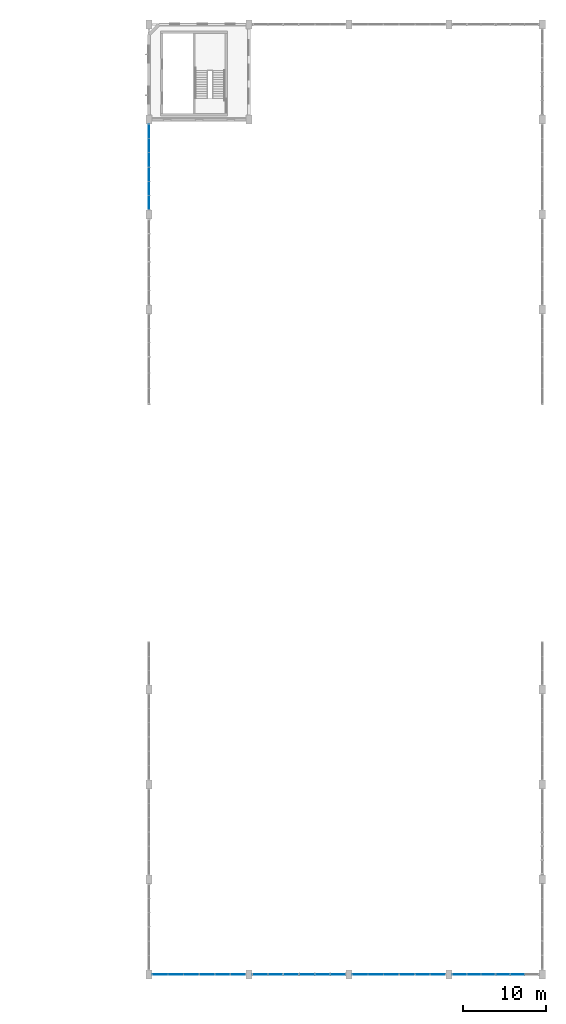
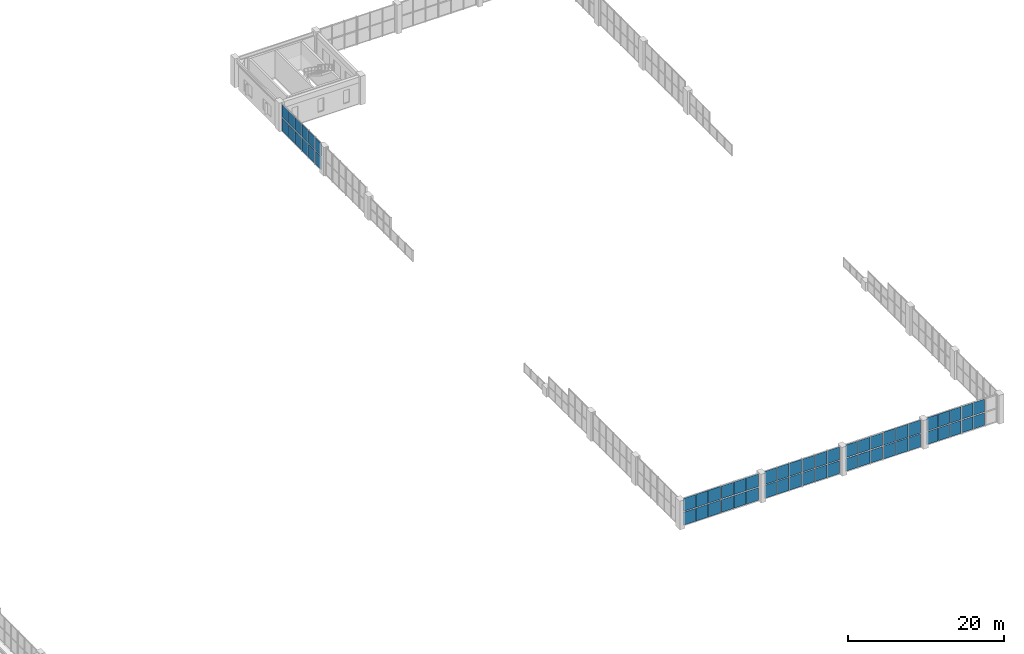
# One storey, part 32 of 48: 58 plates, 10 elements without a shape of their own.
"""IFC4 building model written with IfcOpenShell, lengths in metres."""

from ifc_helpers import new_model, si_unit, direction, frame, origin, origin_2d, place, context, subcontext, project, spatial, rectangle, extrude, material, layer, layer_set, type_object, element, aggregate, save


model = new_model("IFC4")

# Units and contexts
model_context = context("Model", 3, precision=1e-05, world=origin(), true_north=direction((0.0, 1.0)))
body_context = subcontext(model_context, "Body", "Model", "MODEL_VIEW")
ifc_project = project(units=[si_unit("LENGTHUNIT", "METRE"), si_unit("AREAUNIT", "SQUARE_METRE"), si_unit("VOLUMEUNIT", "CUBIC_METRE"), si_unit("PLANEANGLEUNIT", "RADIAN"), si_unit("MASSUNIT", "GRAM", prefix="KILO"), si_unit("POWERUNIT", "WATT"), si_unit("THERMODYNAMICTEMPERATUREUNIT", "KELVIN")], contexts=[model_context])

# Site, building, storey
site_placement = place(None, origin())
site = spatial("IfcSite", under=ifc_project, at=site_placement, CompositionType="ELEMENT")
building_placement = place(site_placement, origin())
building = spatial("IfcBuilding", under=site, at=building_placement, Name="Kelmbourne Parkland Aquatics Centre", CompositionType="ELEMENT")
storey_placement = place(building_placement, frame((0.0, 0.0, 14.699951171875)))
storey = spatial("IfcBuildingStorey", under=building, at=storey_placement, Name="L03", CompositionType="ELEMENT", Elevation=14.699951171875)

# Curtain wall, plates
ifc_material_1 = material(Name="Thermally broken anodised aluminium framing", Category="aluminium")
ifc_layer_1 = layer(ifc_material_1, 0.179931640625)
ifc_layer_set_1 = layer_set([ifc_layer_1], Name="Thermally broken anodised aluminium framing")
curtain_wall_type_1 = type_object("IfcCurtainWallType", Name="CW-16", PredefinedType="NOTDEFINED", material=ifc_layer_set_1)
curtain_wall_1_placement = place(storey_placement, origin())
curtain_wall_1 = element("IfcCurtainWall", 1, at=curtain_wall_1_placement, inside=storey, type_object=curtain_wall_type_1, Name="Wave-hall clerestory curtain wall CW-L03-088", PredefinedType="NOTDEFINED")
ifc_material_2 = material(Name="Double-glazed low-e laminated safety glass", Category="glass")
ifc_layer_2 = layer(ifc_material_2, 0.0419921875)
ifc_layer_set_2 = layer_set([ifc_layer_2], Name="Double-glazed low-e laminated safety glass")
plate_type_1 = type_object("IfcPlateType", Name="PL-CLR-1", PredefinedType="USERDEFINED", material=ifc_layer_set_2)
plate_1_placement = place(storey_placement, frame((128.0, 93.441650390625, 2.2939453125), z_axis=(0.0, 0.0, 1.0), x_axis=(0.0, 1.0, 0.0)))
plate_1 = element("IfcPlate", 2, at=plate_1_placement, type_object=plate_type_1, Name="CW-L03-088 clerestory glazing 1-0", ObjectType="CLERESTORY GLAZING", PredefinedType="USERDEFINED", context=body_context, shape_type="SweptSolid", body=[
    extrude(rectangle(XDim=1.601318359375, YDim=0.0419921875, at=origin_2d()), origin(), (0.0, 0.0, 1.0), 2.009033203125),
])
plate_2_placement = place(storey_placement, frame((128.0, 95.1259765625, 2.2939453125), z_axis=(0.0, 0.0, 1.0), x_axis=(0.0, 1.0, 0.0)))
plate_2 = element("IfcPlate", 3, at=plate_2_placement, type_object=plate_type_1, Name="CW-L03-088 clerestory glazing 1-1", ObjectType="CLERESTORY GLAZING", PredefinedType="USERDEFINED", context=body_context, shape_type="SweptSolid", body=[
    extrude(rectangle(XDim=1.601318359375, YDim=0.0419921875, at=origin_2d()), origin(), (0.0, 0.0, 1.0), 2.009033203125),
])
plate_3_placement = place(storey_placement, frame((128.0, 96.810302734375, 2.2939453125), z_axis=(0.0, 0.0, 1.0), x_axis=(0.0, 1.0, 0.0)))
plate_3 = element("IfcPlate", 4, at=plate_3_placement, type_object=plate_type_1, Name="CW-L03-088 clerestory glazing 1-2", ObjectType="CLERESTORY GLAZING", PredefinedType="USERDEFINED", context=body_context, shape_type="SweptSolid", body=[
    extrude(rectangle(XDim=1.601318359375, YDim=0.0419921875, at=origin_2d()), origin(), (0.0, 0.0, 1.0), 2.009033203125),
])

ifc_layer_3 = layer(ifc_material_1, 0.179931640625)
ifc_layer_set_3 = layer_set([ifc_layer_3], Name="Thermally broken anodised aluminium framing")
curtain_wall_type_2 = type_object("IfcCurtainWallType", Name="CW-23", PredefinedType="NOTDEFINED", material=ifc_layer_set_3)
curtain_wall_2_placement = place(storey_placement, origin())
curtain_wall_2 = element("IfcCurtainWall", 5, at=curtain_wall_2_placement, inside=storey, type_object=curtain_wall_type_2, Name="Wave-hall clerestory curtain wall CW-L03-095", PredefinedType="NOTDEFINED")
plate_4_placement = place(storey_placement, frame((128.0, 98.57958984375, 2.30908203125), z_axis=(0.0, 0.0, 1.0), x_axis=(0.0, 1.0, 0.0)))
plate_4 = element("IfcPlate", 6, at=plate_4_placement, type_object=plate_type_1, Name="CW-L03-095 clerestory glazing 1-0", ObjectType="CLERESTORY GLAZING", PredefinedType="USERDEFINED", context=body_context, shape_type="SweptSolid", body=[
    extrude(rectangle(XDim=1.641357421875, YDim=0.0419921875, at=origin_2d()), origin(), (0.0, 0.0, 1.0), 1.964111328125),
])
plate_5_placement = place(storey_placement, frame((128.0, 100.27392578125, 2.30908203125), z_axis=(0.0, 0.0, 1.0), x_axis=(0.0, 1.0, 0.0)))
plate_5 = element("IfcPlate", 7, at=plate_5_placement, type_object=plate_type_1, Name="CW-L03-095 clerestory glazing 1-1", ObjectType="CLERESTORY GLAZING", PredefinedType="USERDEFINED", context=body_context, shape_type="SweptSolid", body=[
    extrude(rectangle(XDim=1.641357421875, YDim=0.0419921875, at=origin_2d()), origin(), (0.0, 0.0, 1.0), 1.964111328125),
])
plate_6_placement = place(storey_placement, frame((128.0, 101.968505859375, 2.30908203125), z_axis=(0.0, 0.0, 1.0), x_axis=(0.0, 1.0, 0.0)))
plate_6 = element("IfcPlate", 8, at=plate_6_placement, type_object=plate_type_1, Name="CW-L03-095 clerestory glazing 1-2", ObjectType="CLERESTORY GLAZING", PredefinedType="USERDEFINED", context=body_context, shape_type="SweptSolid", body=[
    extrude(rectangle(XDim=1.641357421875, YDim=0.0419921875, at=origin_2d()), origin(), (0.0, 0.0, 1.0), 1.964111328125),
])

ifc_layer_4 = layer(ifc_material_1, 0.179931640625)
ifc_layer_set_4 = layer_set([ifc_layer_4], Name="Thermally broken anodised aluminium framing")
curtain_wall_type_3 = type_object("IfcCurtainWallType", Name="CW-01", PredefinedType="NOTDEFINED", material=ifc_layer_set_4)
curtain_wall_3_placement = place(storey_placement, origin())
curtain_wall_3 = element("IfcCurtainWall", 9, at=curtain_wall_3_placement, inside=storey, type_object=curtain_wall_type_3, Name="Wave-hall clerestory curtain wall CW-L03-121", PredefinedType="NOTDEFINED")
plate_7_placement = place(storey_placement, frame((129.339111328125, 0.800048828125, 2.2939453125), z_axis=(0.0, 0.0, 1.0), x_axis=(1.0, 0.0, 0.0)))
plate_7 = element("IfcPlate", 10, at=plate_7_placement, type_object=plate_type_1, Name="CW-L03-121 clerestory glazing 1-0", ObjectType="CLERESTORY GLAZING", PredefinedType="USERDEFINED", context=body_context, shape_type="SweptSolid", body=[
    extrude(rectangle(XDim=1.786376953125, YDim=0.0419921875, at=origin_2d()), origin(), (0.0, 0.0, 1.0), 2.009033203125),
])
plate_8_placement = place(storey_placement, frame((131.1884765625, 0.800048828125, 2.2939453125), z_axis=(0.0, 0.0, 1.0), x_axis=(1.0, 0.0, 0.0)))
plate_8 = element("IfcPlate", 11, at=plate_8_placement, type_object=plate_type_1, Name="CW-L03-121 clerestory glazing 1-1", ObjectType="CLERESTORY GLAZING", PredefinedType="USERDEFINED", context=body_context, shape_type="SweptSolid", body=[
    extrude(rectangle(XDim=1.786376953125, YDim=0.0419921875, at=origin_2d()), origin(), (0.0, 0.0, 1.0), 2.009033203125),
])
plate_9_placement = place(storey_placement, frame((133.037841796875, 0.800048828125, 2.2939453125), z_axis=(0.0, 0.0, 1.0), x_axis=(1.0, 0.0, 0.0)))
plate_9 = element("IfcPlate", 12, at=plate_9_placement, type_object=plate_type_1, Name="CW-L03-121 clerestory glazing 1-2", ObjectType="CLERESTORY GLAZING", PredefinedType="USERDEFINED", context=body_context, shape_type="SweptSolid", body=[
    extrude(rectangle(XDim=1.786376953125, YDim=0.0419921875, at=origin_2d()), origin(), (0.0, 0.0, 1.0), 2.009033203125),
])

ifc_layer_5 = layer(ifc_material_1, 0.179931640625)
ifc_layer_set_5 = layer_set([ifc_layer_5], Name="Thermally broken anodised aluminium framing")
curtain_wall_type_4 = type_object("IfcCurtainWallType", Name="CW-02", PredefinedType="NOTDEFINED", material=ifc_layer_set_5)
curtain_wall_4_placement = place(storey_placement, origin())
curtain_wall_4 = element("IfcCurtainWall", 13, at=curtain_wall_4_placement, inside=storey, type_object=curtain_wall_type_4, Name="Wave-hall clerestory curtain wall CW-L03-122", PredefinedType="NOTDEFINED")
plate_10_placement = place(storey_placement, frame((134.965576171875, 0.800048828125, 2.30908203125), z_axis=(0.0, 0.0, 1.0), x_axis=(1.0, 0.0, 0.0)))
plate_10 = element("IfcPlate", 14, at=plate_10_placement, type_object=plate_type_1, Name="CW-L03-122 clerestory glazing 1-0", ObjectType="CLERESTORY GLAZING", PredefinedType="USERDEFINED", context=body_context, shape_type="SweptSolid", body=[
    extrude(rectangle(XDim=1.77294921875, YDim=0.0419921875, at=origin_2d()), origin(), (0.0, 0.0, 1.0), 1.964111328125),
])
plate_11_placement = place(storey_placement, frame((136.8115234375, 0.800048828125, 2.30908203125), z_axis=(0.0, 0.0, 1.0), x_axis=(1.0, 0.0, 0.0)))
plate_11 = element("IfcPlate", 15, at=plate_11_placement, type_object=plate_type_1, Name="CW-L03-122 clerestory glazing 1-1", ObjectType="CLERESTORY GLAZING", PredefinedType="USERDEFINED", context=body_context, shape_type="SweptSolid", body=[
    extrude(rectangle(XDim=1.77294921875, YDim=0.0419921875, at=origin_2d()), origin(), (0.0, 0.0, 1.0), 1.964111328125),
])
plate_12_placement = place(storey_placement, frame((138.657470703125, 0.800048828125, 2.30908203125), z_axis=(0.0, 0.0, 1.0), x_axis=(1.0, 0.0, 0.0)))
plate_12 = element("IfcPlate", 16, at=plate_12_placement, type_object=plate_type_1, Name="CW-L03-122 clerestory glazing 1-2", ObjectType="CLERESTORY GLAZING", PredefinedType="USERDEFINED", context=body_context, shape_type="SweptSolid", body=[
    extrude(rectangle(XDim=1.77294921875, YDim=0.0419921875, at=origin_2d()), origin(), (0.0, 0.0, 1.0), 1.964111328125),
])

ifc_layer_6 = layer(ifc_material_1, 0.179931640625)
ifc_layer_set_6 = layer_set([ifc_layer_6], Name="Thermally broken anodised aluminium framing")
curtain_wall_type_5 = type_object("IfcCurtainWallType", Name="CW-03", PredefinedType="NOTDEFINED", material=ifc_layer_set_6)
curtain_wall_5_placement = place(storey_placement, origin())
curtain_wall_5 = element("IfcCurtainWall", 17, at=curtain_wall_5_placement, inside=storey, type_object=curtain_wall_type_5, Name="Wave-hall clerestory curtain wall CW-L03-123", PredefinedType="NOTDEFINED")
plate_13_placement = place(storey_placement, frame((141.345947265625, 0.800048828125, 2.279296875), z_axis=(0.0, 0.0, 1.0), x_axis=(1.0, 0.0, 0.0)))
plate_13 = element("IfcPlate", 18, at=plate_13_placement, type_object=plate_type_1, Name="CW-L03-123 clerestory glazing 1-0", ObjectType="CLERESTORY GLAZING", PredefinedType="USERDEFINED", context=body_context, shape_type="SweptSolid", body=[
    extrude(rectangle(XDim=1.759765625, YDim=0.0419921875, at=origin_2d()), origin(), (0.0, 0.0, 1.0), 2.053955078125),
])
plate_14_placement = place(storey_placement, frame((143.1884765625, 0.800048828125, 2.279296875), z_axis=(0.0, 0.0, 1.0), x_axis=(1.0, 0.0, 0.0)))
plate_14 = element("IfcPlate", 19, at=plate_14_placement, type_object=plate_type_1, Name="CW-L03-123 clerestory glazing 1-1", ObjectType="CLERESTORY GLAZING", PredefinedType="USERDEFINED", context=body_context, shape_type="SweptSolid", body=[
    extrude(rectangle(XDim=1.759521484375, YDim=0.0419921875, at=origin_2d()), origin(), (0.0, 0.0, 1.0), 2.053955078125),
])
plate_15_placement = place(storey_placement, frame((145.031005859375, 0.800048828125, 2.279296875), z_axis=(0.0, 0.0, 1.0), x_axis=(1.0, 0.0, 0.0)))
plate_15 = element("IfcPlate", 20, at=plate_15_placement, type_object=plate_type_1, Name="CW-L03-123 clerestory glazing 1-2", ObjectType="CLERESTORY GLAZING", PredefinedType="USERDEFINED", context=body_context, shape_type="SweptSolid", body=[
    extrude(rectangle(XDim=1.759765625, YDim=0.0419921875, at=origin_2d()), origin(), (0.0, 0.0, 1.0), 2.053955078125),
])

ifc_layer_7 = layer(ifc_material_1, 0.179931640625)
ifc_layer_set_7 = layer_set([ifc_layer_7], Name="Thermally broken anodised aluminium framing")
curtain_wall_type_6 = type_object("IfcCurtainWallType", Name="CW-04", PredefinedType="NOTDEFINED", material=ifc_layer_set_7)
curtain_wall_6_placement = place(storey_placement, origin())
curtain_wall_6 = element("IfcCurtainWall", 21, at=curtain_wall_6_placement, inside=storey, type_object=curtain_wall_type_6, Name="Wave-hall clerestory curtain wall CW-L03-124", PredefinedType="NOTDEFINED")
plate_16_placement = place(storey_placement, frame((146.97216796875, 0.800048828125, 2.2939453125), z_axis=(0.0, 0.0, 1.0), x_axis=(1.0, 0.0, 0.0)))
plate_16 = element("IfcPlate", 22, at=plate_16_placement, type_object=plate_type_1, Name="CW-L03-124 clerestory glazing 1-0", ObjectType="CLERESTORY GLAZING", PredefinedType="USERDEFINED", context=body_context, shape_type="SweptSolid", body=[
    extrude(rectangle(XDim=1.746337890625, YDim=0.0419921875, at=origin_2d()), origin(), (0.0, 0.0, 1.0), 2.009033203125),
])
plate_17_placement = place(storey_placement, frame((148.8115234375, 0.800048828125, 2.2939453125), z_axis=(0.0, 0.0, 1.0), x_axis=(1.0, 0.0, 0.0)))
plate_17 = element("IfcPlate", 23, at=plate_17_placement, type_object=plate_type_1, Name="CW-L03-124 clerestory glazing 1-1", ObjectType="CLERESTORY GLAZING", PredefinedType="USERDEFINED", context=body_context, shape_type="SweptSolid", body=[
    extrude(rectangle(XDim=1.746337890625, YDim=0.0419921875, at=origin_2d()), origin(), (0.0, 0.0, 1.0), 2.009033203125),
])
plate_18_placement = place(storey_placement, frame((150.65087890625, 0.800048828125, 2.2939453125), z_axis=(0.0, 0.0, 1.0), x_axis=(1.0, 0.0, 0.0)))
plate_18 = element("IfcPlate", 24, at=plate_18_placement, type_object=plate_type_1, Name="CW-L03-124 clerestory glazing 1-2", ObjectType="CLERESTORY GLAZING", PredefinedType="USERDEFINED", context=body_context, shape_type="SweptSolid", body=[
    extrude(rectangle(XDim=1.746337890625, YDim=0.0419921875, at=origin_2d()), origin(), (0.0, 0.0, 1.0), 2.009033203125),
])

ifc_layer_8 = layer(ifc_material_1, 0.179931640625)
ifc_layer_set_8 = layer_set([ifc_layer_8], Name="Thermally broken anodised aluminium framing")
curtain_wall_type_7 = type_object("IfcCurtainWallType", Name="CW-05", PredefinedType="NOTDEFINED", material=ifc_layer_set_8)
curtain_wall_7_placement = place(storey_placement, origin())
curtain_wall_7 = element("IfcCurtainWall", 25, at=curtain_wall_7_placement, inside=storey, type_object=curtain_wall_type_7, Name="Wave-hall clerestory curtain wall CW-L03-125", PredefinedType="NOTDEFINED")
plate_19_placement = place(storey_placement, frame((153.3359375, 0.800048828125, 2.30908203125), z_axis=(0.0, 0.0, 1.0), x_axis=(1.0, 0.0, 0.0)))
plate_19 = element("IfcPlate", 26, at=plate_19_placement, type_object=plate_type_1, Name="CW-L03-125 clerestory glazing 1-0", ObjectType="CLERESTORY GLAZING", PredefinedType="USERDEFINED", context=body_context, shape_type="SweptSolid", body=[
    extrude(rectangle(XDim=1.7998046875, YDim=0.0419921875, at=origin_2d()), origin(), (0.0, 0.0, 1.0), 1.964111328125),
])
plate_20_placement = place(storey_placement, frame((155.1884765625, 0.800048828125, 2.30908203125), z_axis=(0.0, 0.0, 1.0), x_axis=(1.0, 0.0, 0.0)))
plate_20 = element("IfcPlate", 27, at=plate_20_placement, type_object=plate_type_1, Name="CW-L03-125 clerestory glazing 1-1", ObjectType="CLERESTORY GLAZING", PredefinedType="USERDEFINED", context=body_context, shape_type="SweptSolid", body=[
    extrude(rectangle(XDim=1.799560546875, YDim=0.0419921875, at=origin_2d()), origin(), (0.0, 0.0, 1.0), 1.964111328125),
])
plate_21_placement = place(storey_placement, frame((157.041259765625, 0.800048828125, 2.30908203125), z_axis=(0.0, 0.0, 1.0), x_axis=(1.0, 0.0, 0.0)))
plate_21 = element("IfcPlate", 28, at=plate_21_placement, type_object=plate_type_1, Name="CW-L03-125 clerestory glazing 1-2", ObjectType="CLERESTORY GLAZING", PredefinedType="USERDEFINED", context=body_context, shape_type="SweptSolid", body=[
    extrude(rectangle(XDim=1.7998046875, YDim=0.0419921875, at=origin_2d()), origin(), (0.0, 0.0, 1.0), 1.964111328125),
])

ifc_layer_9 = layer(ifc_material_1, 0.179931640625)
ifc_layer_set_9 = layer_set([ifc_layer_9], Name="Thermally broken anodised aluminium framing")
curtain_wall_type_8 = type_object("IfcCurtainWallType", Name="CW-06", PredefinedType="NOTDEFINED", material=ifc_layer_set_9)
curtain_wall_8_placement = place(storey_placement, origin())
curtain_wall_8 = element("IfcCurtainWall", 29, at=curtain_wall_8_placement, inside=storey, type_object=curtain_wall_type_8, Name="Wave-hall clerestory curtain wall CW-L03-126", PredefinedType="NOTDEFINED")
plate_22_placement = place(storey_placement, frame((158.962158203125, 0.800048828125, 2.279296875), z_axis=(0.0, 0.0, 1.0), x_axis=(1.0, 0.0, 0.0)))
plate_22 = element("IfcPlate", 30, at=plate_22_placement, type_object=plate_type_1, Name="CW-L03-126 clerestory glazing 1-0", ObjectType="CLERESTORY GLAZING", PredefinedType="USERDEFINED", context=body_context, shape_type="SweptSolid", body=[
    extrude(rectangle(XDim=1.786376953125, YDim=0.0419921875, at=origin_2d()), origin(), (0.0, 0.0, 1.0), 2.053955078125),
])
plate_23_placement = place(storey_placement, frame((160.8115234375, 0.800048828125, 2.279296875), z_axis=(0.0, 0.0, 1.0), x_axis=(1.0, 0.0, 0.0)))
plate_23 = element("IfcPlate", 31, at=plate_23_placement, type_object=plate_type_1, Name="CW-L03-126 clerestory glazing 1-1", ObjectType="CLERESTORY GLAZING", PredefinedType="USERDEFINED", context=body_context, shape_type="SweptSolid", body=[
    extrude(rectangle(XDim=1.786376953125, YDim=0.0419921875, at=origin_2d()), origin(), (0.0, 0.0, 1.0), 2.053955078125),
])
plate_24_placement = place(storey_placement, frame((162.660888671875, 0.800048828125, 2.279296875), z_axis=(0.0, 0.0, 1.0), x_axis=(1.0, 0.0, 0.0)))
plate_24 = element("IfcPlate", 32, at=plate_24_placement, type_object=plate_type_1, Name="CW-L03-126 clerestory glazing 1-2", ObjectType="CLERESTORY GLAZING", PredefinedType="USERDEFINED", context=body_context, shape_type="SweptSolid", body=[
    extrude(rectangle(XDim=1.786376953125, YDim=0.0419921875, at=origin_2d()), origin(), (0.0, 0.0, 1.0), 2.053955078125),
])

ifc_layer_10 = layer(ifc_material_1, 0.179931640625)
ifc_layer_set_10 = layer_set([ifc_layer_10], Name="Thermally broken anodised aluminium framing")
curtain_wall_type_9 = type_object("IfcCurtainWallType", Name="CW-07", PredefinedType="NOTDEFINED", material=ifc_layer_set_10)
curtain_wall_9_placement = place(storey_placement, origin())
curtain_wall_9 = element("IfcCurtainWall", 33, at=curtain_wall_9_placement, inside=storey, type_object=curtain_wall_type_9, Name="Wave-hall clerestory curtain wall CW-L03-127", PredefinedType="NOTDEFINED")
plate_25_placement = place(storey_placement, frame((165.27587890625, 0.800048828125, 2.2939453125), z_axis=(0.0, 0.0, 1.0), x_axis=(1.0, 0.0, 0.0)))
plate_25 = element("IfcPlate", 34, at=plate_25_placement, type_object=plate_type_1, Name="CW-L03-127 clerestory glazing 1-0", ObjectType="CLERESTORY GLAZING", PredefinedType="USERDEFINED", context=body_context, shape_type="SweptSolid", body=[
    extrude(rectangle(XDim=1.6396484375, YDim=0.0419921875, at=origin_2d()), origin(), (0.0, 0.0, 1.0), 2.009033203125),
])
plate_26_placement = place(storey_placement, frame((166.988525390625, 0.800048828125, 2.2939453125), z_axis=(0.0, 0.0, 1.0), x_axis=(1.0, 0.0, 0.0)))
plate_26 = element("IfcPlate", 35, at=plate_26_placement, type_object=plate_type_1, Name="CW-L03-127 clerestory glazing 1-1", ObjectType="CLERESTORY GLAZING", PredefinedType="USERDEFINED", context=body_context, shape_type="SweptSolid", body=[
    extrude(rectangle(XDim=1.6396484375, YDim=0.0419921875, at=origin_2d()), origin(), (0.0, 0.0, 1.0), 2.009033203125),
])
plate_27_placement = place(storey_placement, frame((168.701171875, 0.800048828125, 2.2939453125), z_axis=(0.0, 0.0, 1.0), x_axis=(1.0, 0.0, 0.0)))
plate_27 = element("IfcPlate", 36, at=plate_27_placement, type_object=plate_type_1, Name="CW-L03-127 clerestory glazing 1-2", ObjectType="CLERESTORY GLAZING", PredefinedType="USERDEFINED", context=body_context, shape_type="SweptSolid", body=[
    extrude(rectangle(XDim=1.6396484375, YDim=0.0419921875, at=origin_2d()), origin(), (0.0, 0.0, 1.0), 2.009033203125),
])

ifc_layer_11 = layer(ifc_material_1, 0.179931640625)
ifc_layer_set_11 = layer_set([ifc_layer_11], Name="Thermally broken anodised aluminium framing")
curtain_wall_type_10 = type_object("IfcCurtainWallType", Name="CW-08", PredefinedType="NOTDEFINED", material=ifc_layer_set_11)
curtain_wall_10_placement = place(storey_placement, origin())
curtain_wall_10 = element("IfcCurtainWall", 37, at=curtain_wall_10_placement, inside=storey, type_object=curtain_wall_type_10, Name="Wave-hall clerestory curtain wall CW-L03-128", PredefinedType="NOTDEFINED")
plate_28_placement = place(storey_placement, frame((170.502197265625, 0.800048828125, 2.30908203125), z_axis=(0.0, 0.0, 1.0), x_axis=(1.0, 0.0, 0.0)))
plate_28 = element("IfcPlate", 38, at=plate_28_placement, type_object=plate_type_1, Name="CW-L03-128 clerestory glazing 1-0", ObjectType="CLERESTORY GLAZING", PredefinedType="USERDEFINED", context=body_context, shape_type="SweptSolid", body=[
    extrude(rectangle(XDim=1.626220703125, YDim=0.0419921875, at=origin_2d()), origin(), (0.0, 0.0, 1.0), 1.964111328125),
])
plate_29_placement = place(storey_placement, frame((172.21142578125, 0.800048828125, 2.30908203125), z_axis=(0.0, 0.0, 1.0), x_axis=(1.0, 0.0, 0.0)))
plate_29 = element("IfcPlate", 39, at=plate_29_placement, type_object=plate_type_1, Name="CW-L03-128 clerestory glazing 1-1", ObjectType="CLERESTORY GLAZING", PredefinedType="USERDEFINED", context=body_context, shape_type="SweptSolid", body=[
    extrude(rectangle(XDim=1.62646484375, YDim=0.0419921875, at=origin_2d()), origin(), (0.0, 0.0, 1.0), 1.964111328125),
])

# Plate
ifc_layer_12 = layer(ifc_material_2, 0.02392578125)
ifc_layer_set_12 = layer_set([ifc_layer_12], Name="Double-glazed low-e laminated safety glass")
plate_type_2 = type_object("IfcPlateType", Name="PL-CWP-1", PredefinedType="CURTAIN_PANEL", material=ifc_layer_set_12)
plate_30_placement = place(storey_placement, frame((141.345947265625, 0.800048828125, 0.1171875), z_axis=(0.0, 0.0, 1.0), x_axis=(1.0, 0.0, 0.0)))
plate_30 = element("IfcPlate", 40, at=plate_30_placement, type_object=plate_type_2, Name="CW-L03-123 vision glazing 0-0", PredefinedType="CURTAIN_PANEL", context=body_context, shape_type="SweptSolid", body=[
    extrude(rectangle(XDim=1.759765625, YDim=0.02392578125, at=origin_2d()), origin(), (0.0, 0.0, 1.0), 2.053955078125),
])

plate_31_placement = place(storey_placement, frame((143.1884765625, 0.800048828125, 0.1171875), z_axis=(0.0, 0.0, 1.0), x_axis=(1.0, 0.0, 0.0)))
plate_31 = element("IfcPlate", 41, at=plate_31_placement, type_object=plate_type_2, Name="CW-L03-123 vision glazing 0-1", PredefinedType="CURTAIN_PANEL", context=body_context, shape_type="SweptSolid", body=[
    extrude(rectangle(XDim=1.759521484375, YDim=0.02392578125, at=origin_2d()), origin(), (0.0, 0.0, 1.0), 2.053955078125),
])

plate_32_placement = place(storey_placement, frame((145.031005859375, 0.800048828125, 0.1171875), z_axis=(0.0, 0.0, 1.0), x_axis=(1.0, 0.0, 0.0)))
plate_32 = element("IfcPlate", 42, at=plate_32_placement, type_object=plate_type_2, Name="CW-L03-123 vision glazing 0-2", PredefinedType="CURTAIN_PANEL", context=body_context, shape_type="SweptSolid", body=[
    extrude(rectangle(XDim=1.759765625, YDim=0.02392578125, at=origin_2d()), origin(), (0.0, 0.0, 1.0), 2.053955078125),
])

aggregate(curtain_wall_5, [plate_30, plate_31, plate_32, plate_13, plate_14, plate_15])

plate_33_placement = place(storey_placement, frame((158.962158203125, 0.800048828125, 0.1171875), z_axis=(0.0, 0.0, 1.0), x_axis=(1.0, 0.0, 0.0)))
plate_33 = element("IfcPlate", 43, at=plate_33_placement, type_object=plate_type_2, Name="CW-L03-126 vision glazing 0-0", PredefinedType="CURTAIN_PANEL", context=body_context, shape_type="SweptSolid", body=[
    extrude(rectangle(XDim=1.786376953125, YDim=0.02392578125, at=origin_2d()), origin(), (0.0, 0.0, 1.0), 2.053955078125),
])

plate_34_placement = place(storey_placement, frame((160.8115234375, 0.800048828125, 0.1171875), z_axis=(0.0, 0.0, 1.0), x_axis=(1.0, 0.0, 0.0)))
plate_34 = element("IfcPlate", 44, at=plate_34_placement, type_object=plate_type_2, Name="CW-L03-126 vision glazing 0-1", PredefinedType="CURTAIN_PANEL", context=body_context, shape_type="SweptSolid", body=[
    extrude(rectangle(XDim=1.786376953125, YDim=0.02392578125, at=origin_2d()), origin(), (0.0, 0.0, 1.0), 2.053955078125),
])

plate_35_placement = place(storey_placement, frame((162.660888671875, 0.800048828125, 0.1171875), z_axis=(0.0, 0.0, 1.0), x_axis=(1.0, 0.0, 0.0)))
plate_35 = element("IfcPlate", 45, at=plate_35_placement, type_object=plate_type_2, Name="CW-L03-126 vision glazing 0-2", PredefinedType="CURTAIN_PANEL", context=body_context, shape_type="SweptSolid", body=[
    extrude(rectangle(XDim=1.786376953125, YDim=0.02392578125, at=origin_2d()), origin(), (0.0, 0.0, 1.0), 2.053955078125),
])

aggregate(curtain_wall_8, [plate_33, plate_34, plate_35, plate_22, plate_23, plate_24])

ifc_layer_13 = layer(ifc_material_2, 0.035888671875)
ifc_layer_set_13 = layer_set([ifc_layer_13], Name="Double-glazed low-e laminated safety glass")
plate_type_3 = type_object("IfcPlateType", Name="PL-CWP-2", PredefinedType="CURTAIN_PANEL", material=ifc_layer_set_13)
plate_36_placement = place(storey_placement, frame((128.0, 93.441650390625, 0.14697265625), z_axis=(0.0, 0.0, 1.0), x_axis=(0.0, 1.0, 0.0)))
plate_36 = element("IfcPlate", 46, at=plate_36_placement, type_object=plate_type_3, Name="CW-L03-088 vision glazing 0-0", PredefinedType="CURTAIN_PANEL", context=body_context, shape_type="SweptSolid", body=[
    extrude(rectangle(XDim=1.601318359375, YDim=0.035888671875, at=origin_2d()), origin(), (0.0, 0.0, 1.0), 2.009033203125),
])

plate_37_placement = place(storey_placement, frame((128.0, 95.1259765625, 0.14697265625), z_axis=(0.0, 0.0, 1.0), x_axis=(0.0, 1.0, 0.0)))
plate_37 = element("IfcPlate", 47, at=plate_37_placement, type_object=plate_type_3, Name="CW-L03-088 vision glazing 0-1", PredefinedType="CURTAIN_PANEL", context=body_context, shape_type="SweptSolid", body=[
    extrude(rectangle(XDim=1.601318359375, YDim=0.035888671875, at=origin_2d()), origin(), (0.0, 0.0, 1.0), 2.009033203125),
])

plate_38_placement = place(storey_placement, frame((128.0, 96.810302734375, 0.14697265625), z_axis=(0.0, 0.0, 1.0), x_axis=(0.0, 1.0, 0.0)))
plate_38 = element("IfcPlate", 48, at=plate_38_placement, type_object=plate_type_3, Name="CW-L03-088 vision glazing 0-2", PredefinedType="CURTAIN_PANEL", context=body_context, shape_type="SweptSolid", body=[
    extrude(rectangle(XDim=1.601318359375, YDim=0.035888671875, at=origin_2d()), origin(), (0.0, 0.0, 1.0), 2.009033203125),
])

aggregate(curtain_wall_1, [plate_36, plate_37, plate_38, plate_1, plate_2, plate_3])

plate_39_placement = place(storey_placement, frame((129.339111328125, 0.800048828125, 0.14697265625), z_axis=(0.0, 0.0, 1.0), x_axis=(1.0, 0.0, 0.0)))
plate_39 = element("IfcPlate", 49, at=plate_39_placement, type_object=plate_type_3, Name="CW-L03-121 vision glazing 0-0", PredefinedType="CURTAIN_PANEL", context=body_context, shape_type="SweptSolid", body=[
    extrude(rectangle(XDim=1.786376953125, YDim=0.035888671875, at=origin_2d()), origin(), (0.0, 0.0, 1.0), 2.009033203125),
])

plate_40_placement = place(storey_placement, frame((131.1884765625, 0.800048828125, 0.14697265625), z_axis=(0.0, 0.0, 1.0), x_axis=(1.0, 0.0, 0.0)))
plate_40 = element("IfcPlate", 50, at=plate_40_placement, type_object=plate_type_3, Name="CW-L03-121 vision glazing 0-1", PredefinedType="CURTAIN_PANEL", context=body_context, shape_type="SweptSolid", body=[
    extrude(rectangle(XDim=1.786376953125, YDim=0.035888671875, at=origin_2d()), origin(), (0.0, 0.0, 1.0), 2.009033203125),
])

plate_41_placement = place(storey_placement, frame((133.037841796875, 0.800048828125, 0.14697265625), z_axis=(0.0, 0.0, 1.0), x_axis=(1.0, 0.0, 0.0)))
plate_41 = element("IfcPlate", 51, at=plate_41_placement, type_object=plate_type_3, Name="CW-L03-121 vision glazing 0-2", PredefinedType="CURTAIN_PANEL", context=body_context, shape_type="SweptSolid", body=[
    extrude(rectangle(XDim=1.786376953125, YDim=0.035888671875, at=origin_2d()), origin(), (0.0, 0.0, 1.0), 2.009033203125),
])

aggregate(curtain_wall_3, [plate_39, plate_40, plate_41, plate_7, plate_8, plate_9])

plate_42_placement = place(storey_placement, frame((146.97216796875, 0.800048828125, 0.14697265625), z_axis=(0.0, 0.0, 1.0), x_axis=(1.0, 0.0, 0.0)))
plate_42 = element("IfcPlate", 52, at=plate_42_placement, type_object=plate_type_3, Name="CW-L03-124 vision glazing 0-0", PredefinedType="CURTAIN_PANEL", context=body_context, shape_type="SweptSolid", body=[
    extrude(rectangle(XDim=1.746337890625, YDim=0.035888671875, at=origin_2d()), origin(), (0.0, 0.0, 1.0), 2.009033203125),
])

plate_43_placement = place(storey_placement, frame((148.8115234375, 0.800048828125, 0.14697265625), z_axis=(0.0, 0.0, 1.0), x_axis=(1.0, 0.0, 0.0)))
plate_43 = element("IfcPlate", 53, at=plate_43_placement, type_object=plate_type_3, Name="CW-L03-124 vision glazing 0-1", PredefinedType="CURTAIN_PANEL", context=body_context, shape_type="SweptSolid", body=[
    extrude(rectangle(XDim=1.746337890625, YDim=0.035888671875, at=origin_2d()), origin(), (0.0, 0.0, 1.0), 2.009033203125),
])

plate_44_placement = place(storey_placement, frame((150.65087890625, 0.800048828125, 0.14697265625), z_axis=(0.0, 0.0, 1.0), x_axis=(1.0, 0.0, 0.0)))
plate_44 = element("IfcPlate", 54, at=plate_44_placement, type_object=plate_type_3, Name="CW-L03-124 vision glazing 0-2", PredefinedType="CURTAIN_PANEL", context=body_context, shape_type="SweptSolid", body=[
    extrude(rectangle(XDim=1.746337890625, YDim=0.035888671875, at=origin_2d()), origin(), (0.0, 0.0, 1.0), 2.009033203125),
])

aggregate(curtain_wall_6, [plate_42, plate_43, plate_44, plate_16, plate_17, plate_18])

plate_45_placement = place(storey_placement, frame((165.27587890625, 0.800048828125, 0.14697265625), z_axis=(0.0, 0.0, 1.0), x_axis=(1.0, 0.0, 0.0)))
plate_45 = element("IfcPlate", 55, at=plate_45_placement, type_object=plate_type_3, Name="CW-L03-127 vision glazing 0-0", PredefinedType="CURTAIN_PANEL", context=body_context, shape_type="SweptSolid", body=[
    extrude(rectangle(XDim=1.6396484375, YDim=0.035888671875, at=origin_2d()), origin(), (0.0, 0.0, 1.0), 2.009033203125),
])

plate_46_placement = place(storey_placement, frame((166.988525390625, 0.800048828125, 0.14697265625), z_axis=(0.0, 0.0, 1.0), x_axis=(1.0, 0.0, 0.0)))
plate_46 = element("IfcPlate", 56, at=plate_46_placement, type_object=plate_type_3, Name="CW-L03-127 vision glazing 0-1", PredefinedType="CURTAIN_PANEL", context=body_context, shape_type="SweptSolid", body=[
    extrude(rectangle(XDim=1.6396484375, YDim=0.035888671875, at=origin_2d()), origin(), (0.0, 0.0, 1.0), 2.009033203125),
])

plate_47_placement = place(storey_placement, frame((168.701171875, 0.800048828125, 0.14697265625), z_axis=(0.0, 0.0, 1.0), x_axis=(1.0, 0.0, 0.0)))
plate_47 = element("IfcPlate", 57, at=plate_47_placement, type_object=plate_type_3, Name="CW-L03-127 vision glazing 0-2", PredefinedType="CURTAIN_PANEL", context=body_context, shape_type="SweptSolid", body=[
    extrude(rectangle(XDim=1.6396484375, YDim=0.035888671875, at=origin_2d()), origin(), (0.0, 0.0, 1.0), 2.009033203125),
])

aggregate(curtain_wall_9, [plate_45, plate_46, plate_47, plate_25, plate_26, plate_27])

ifc_layer_14 = layer(ifc_material_2, 0.048095703125)
ifc_layer_set_14 = layer_set([ifc_layer_14], Name="Double-glazed low-e laminated safety glass")
plate_type_4 = type_object("IfcPlateType", Name="PL-CWP-3", PredefinedType="CURTAIN_PANEL", material=ifc_layer_set_14)
plate_48_placement = place(storey_placement, frame((128.0, 98.57958984375, 0.1767578125), z_axis=(0.0, 0.0, 1.0), x_axis=(0.0, 1.0, 0.0)))
plate_48 = element("IfcPlate", 58, at=plate_48_placement, type_object=plate_type_4, Name="CW-L03-095 vision glazing 0-0", PredefinedType="CURTAIN_PANEL", context=body_context, shape_type="SweptSolid", body=[
    extrude(rectangle(XDim=1.641357421875, YDim=0.048095703125, at=origin_2d()), origin(), (0.0, 0.0, 1.0), 1.964111328125),
])

plate_49_placement = place(storey_placement, frame((128.0, 100.27392578125, 0.1767578125), z_axis=(0.0, 0.0, 1.0), x_axis=(0.0, 1.0, 0.0)))
plate_49 = element("IfcPlate", 59, at=plate_49_placement, type_object=plate_type_4, Name="CW-L03-095 vision glazing 0-1", PredefinedType="CURTAIN_PANEL", context=body_context, shape_type="SweptSolid", body=[
    extrude(rectangle(XDim=1.641357421875, YDim=0.048095703125, at=origin_2d()), origin(), (0.0, 0.0, 1.0), 1.964111328125),
])

plate_50_placement = place(storey_placement, frame((128.0, 101.968505859375, 0.1767578125), z_axis=(0.0, 0.0, 1.0), x_axis=(0.0, 1.0, 0.0)))
plate_50 = element("IfcPlate", 60, at=plate_50_placement, type_object=plate_type_4, Name="CW-L03-095 vision glazing 0-2", PredefinedType="CURTAIN_PANEL", context=body_context, shape_type="SweptSolid", body=[
    extrude(rectangle(XDim=1.641357421875, YDim=0.048095703125, at=origin_2d()), origin(), (0.0, 0.0, 1.0), 1.964111328125),
])

aggregate(curtain_wall_2, [plate_48, plate_49, plate_50, plate_4, plate_5, plate_6])

plate_51_placement = place(storey_placement, frame((134.965576171875, 0.800048828125, 0.1767578125), z_axis=(0.0, 0.0, 1.0), x_axis=(1.0, 0.0, 0.0)))
plate_51 = element("IfcPlate", 61, at=plate_51_placement, type_object=plate_type_4, Name="CW-L03-122 vision glazing 0-0", PredefinedType="CURTAIN_PANEL", context=body_context, shape_type="SweptSolid", body=[
    extrude(rectangle(XDim=1.77294921875, YDim=0.048095703125, at=origin_2d()), origin(), (0.0, 0.0, 1.0), 1.964111328125),
])

plate_52_placement = place(storey_placement, frame((136.8115234375, 0.800048828125, 0.1767578125), z_axis=(0.0, 0.0, 1.0), x_axis=(1.0, 0.0, 0.0)))
plate_52 = element("IfcPlate", 62, at=plate_52_placement, type_object=plate_type_4, Name="CW-L03-122 vision glazing 0-1", PredefinedType="CURTAIN_PANEL", context=body_context, shape_type="SweptSolid", body=[
    extrude(rectangle(XDim=1.77294921875, YDim=0.048095703125, at=origin_2d()), origin(), (0.0, 0.0, 1.0), 1.964111328125),
])

plate_53_placement = place(storey_placement, frame((138.657470703125, 0.800048828125, 0.1767578125), z_axis=(0.0, 0.0, 1.0), x_axis=(1.0, 0.0, 0.0)))
plate_53 = element("IfcPlate", 63, at=plate_53_placement, type_object=plate_type_4, Name="CW-L03-122 vision glazing 0-2", PredefinedType="CURTAIN_PANEL", context=body_context, shape_type="SweptSolid", body=[
    extrude(rectangle(XDim=1.77294921875, YDim=0.048095703125, at=origin_2d()), origin(), (0.0, 0.0, 1.0), 1.964111328125),
])

aggregate(curtain_wall_4, [plate_51, plate_52, plate_53, plate_10, plate_11, plate_12])

plate_54_placement = place(storey_placement, frame((153.3359375, 0.800048828125, 0.1767578125), z_axis=(0.0, 0.0, 1.0), x_axis=(1.0, 0.0, 0.0)))
plate_54 = element("IfcPlate", 64, at=plate_54_placement, type_object=plate_type_4, Name="CW-L03-125 vision glazing 0-0", PredefinedType="CURTAIN_PANEL", context=body_context, shape_type="SweptSolid", body=[
    extrude(rectangle(XDim=1.7998046875, YDim=0.048095703125, at=origin_2d()), origin(), (0.0, 0.0, 1.0), 1.964111328125),
])

plate_55_placement = place(storey_placement, frame((155.1884765625, 0.800048828125, 0.1767578125), z_axis=(0.0, 0.0, 1.0), x_axis=(1.0, 0.0, 0.0)))
plate_55 = element("IfcPlate", 65, at=plate_55_placement, type_object=plate_type_4, Name="CW-L03-125 vision glazing 0-1", PredefinedType="CURTAIN_PANEL", context=body_context, shape_type="SweptSolid", body=[
    extrude(rectangle(XDim=1.799560546875, YDim=0.048095703125, at=origin_2d()), origin(), (0.0, 0.0, 1.0), 1.964111328125),
])

plate_56_placement = place(storey_placement, frame((157.041259765625, 0.800048828125, 0.1767578125), z_axis=(0.0, 0.0, 1.0), x_axis=(1.0, 0.0, 0.0)))
plate_56 = element("IfcPlate", 66, at=plate_56_placement, type_object=plate_type_4, Name="CW-L03-125 vision glazing 0-2", PredefinedType="CURTAIN_PANEL", context=body_context, shape_type="SweptSolid", body=[
    extrude(rectangle(XDim=1.7998046875, YDim=0.048095703125, at=origin_2d()), origin(), (0.0, 0.0, 1.0), 1.964111328125),
])

aggregate(curtain_wall_7, [plate_54, plate_55, plate_56, plate_19, plate_20, plate_21])

plate_57_placement = place(storey_placement, frame((170.502197265625, 0.800048828125, 0.1767578125), z_axis=(0.0, 0.0, 1.0), x_axis=(1.0, 0.0, 0.0)))
plate_57 = element("IfcPlate", 67, at=plate_57_placement, type_object=plate_type_4, Name="CW-L03-128 vision glazing 0-0", PredefinedType="CURTAIN_PANEL", context=body_context, shape_type="SweptSolid", body=[
    extrude(rectangle(XDim=1.626220703125, YDim=0.048095703125, at=origin_2d()), origin(), (0.0, 0.0, 1.0), 1.964111328125),
])

plate_58_placement = place(storey_placement, frame((172.21142578125, 0.800048828125, 0.1767578125), z_axis=(0.0, 0.0, 1.0), x_axis=(1.0, 0.0, 0.0)))
plate_58 = element("IfcPlate", 68, at=plate_58_placement, type_object=plate_type_4, Name="CW-L03-128 vision glazing 0-1", PredefinedType="CURTAIN_PANEL", context=body_context, shape_type="SweptSolid", body=[
    extrude(rectangle(XDim=1.62646484375, YDim=0.048095703125, at=origin_2d()), origin(), (0.0, 0.0, 1.0), 1.964111328125),
])

aggregate(curtain_wall_10, [plate_57, plate_58, plate_28, plate_29])

save(model, "model.ifc")
